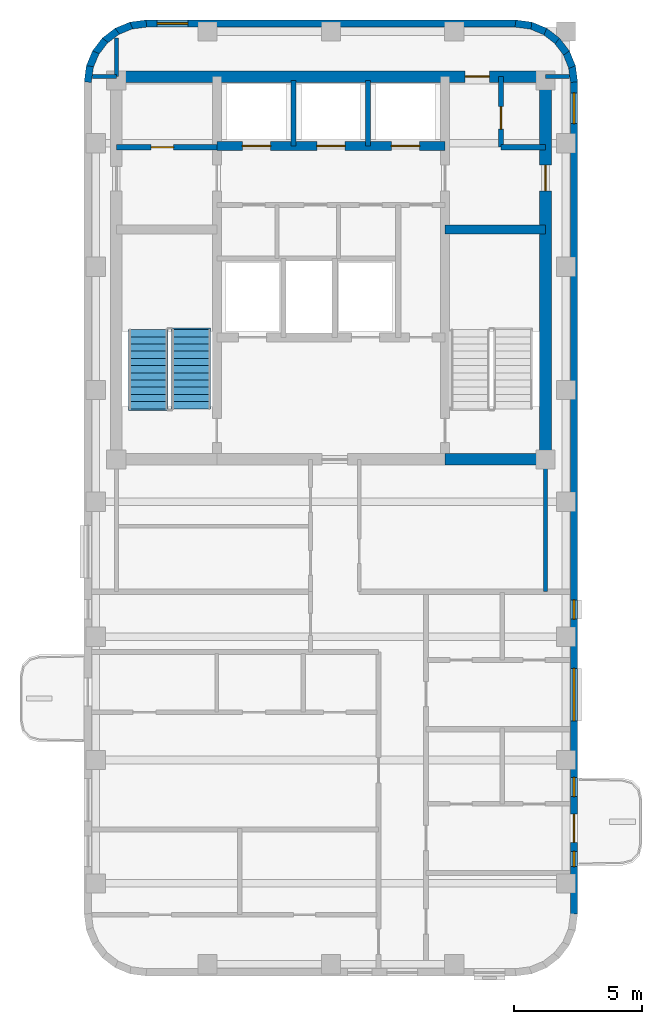
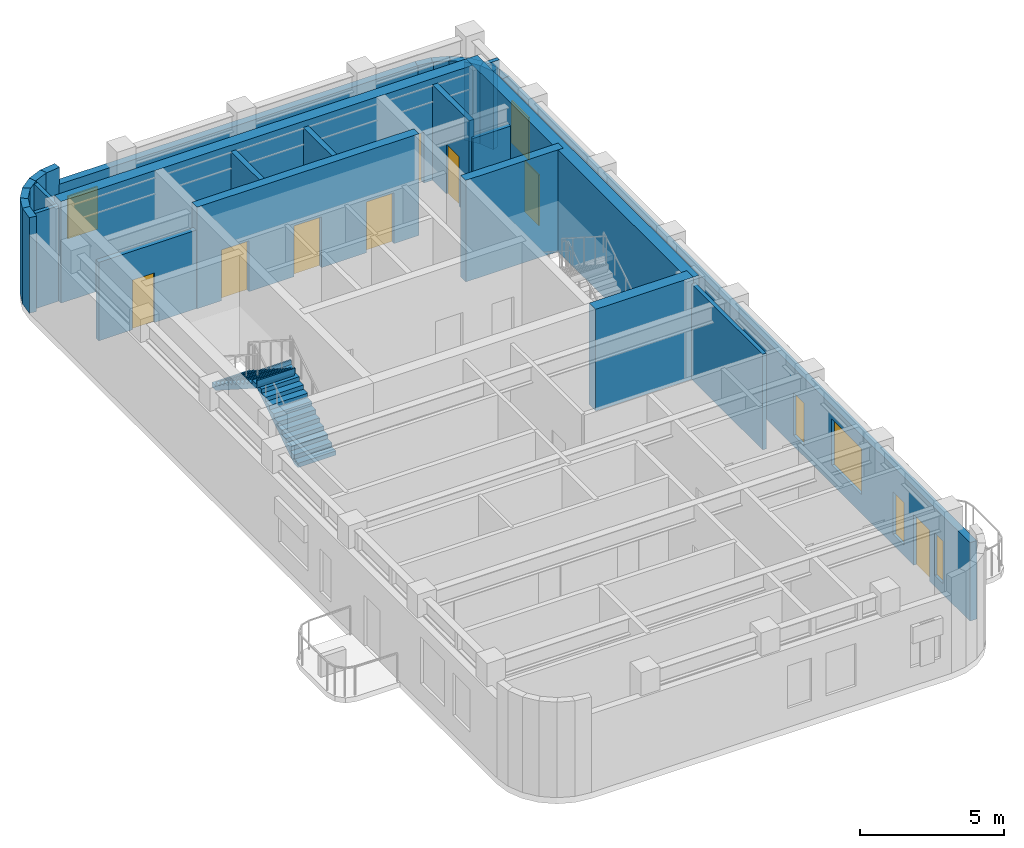
# One storey, part 4 of 7: 28 walls, 8 doors, 6 windows, 2 stair flights, 14 openings, 1 element without a shape of its own.
"""IFC4 building model written with IfcOpenShell, lengths in metres."""

from ifc_helpers import new_model, si_unit, direction, frame, frame_2d, origin, place, context, subcontext, project, spatial, polyline, rectangle, outline, extrude, material, layer, layer_set, type_object, element, fill, aggregate, save


model = new_model("IFC4")

# Units and contexts
model_context = context("Model", 3, precision=1e-05, world=origin(), true_north=direction((0.0, 1.0)))
body_context = subcontext(model_context, "Body", "Model", "MODEL_VIEW")
ifc_project = project(units=[si_unit("LENGTHUNIT", "METRE"), si_unit("AREAUNIT", "SQUARE_METRE"), si_unit("VOLUMEUNIT", "CUBIC_METRE"), si_unit("PLANEANGLEUNIT", "RADIAN"), si_unit("MASSUNIT", "GRAM", prefix="KILO")], contexts=[model_context])

# Site, building, storey
site_placement = place(None, origin())
site = spatial("IfcSite", under=ifc_project, at=site_placement, CompositionType="ELEMENT")
building_placement = place(site_placement, origin())
building = spatial("IfcBuilding", under=site, at=building_placement, Name="Orvandelia Arch Residences", CompositionType="ELEMENT")
storey_placement = place(building_placement, frame((0.0, 0.0, 269.89990234375)))
storey = spatial("IfcBuildingStorey", under=building, at=storey_placement, Name="L70", CompositionType="ELEMENT", Elevation=269.89990234375)

# Wall
ifc_material_1 = material(Name="Concrete C50/60", Category="concrete")
ifc_layer_1 = layer(ifc_material_1, 0.35009765625, Name="Concrete C50/60", Category="concrete")
ifc_layer_set_1 = layer_set([ifc_layer_1], Name="Concrete C50/60")
wall_type_1 = type_object("IfcWallType", Name="WL-CORE-350", PredefinedType="SHEAR", material=ifc_layer_set_1)
wall_1_placement = place(storey_placement, frame((18.840087890625, 39.85009765625, 0.0), z_axis=(0.0, 0.0, 1.0), x_axis=(1.0, 0.0, 0.0)))
element("IfcWall", 1, at=wall_1_placement, inside=storey, type_object=wall_type_1, Name="Core Shear Wall L70-HZ2", PredefinedType="SHEAR", context=body_context, shape_type="SweptSolid", body=[
    extrude(rectangle(XDim=3.909912109375, YDim=0.35009765625, at=frame_2d((1.955078125, 0.0))), origin(), (0.0, 0.0, 1.0), 4.300048828125),
])

# Wall, openings, doors
wall_2_placement = place(storey_placement, frame((9.9599609375, 43.10009765625, 0.0), z_axis=(0.0, 0.0, 1.0), x_axis=(1.0, 0.0, 0.0)))
wall_2 = element("IfcWall", 2, at=wall_2_placement, inside=storey, type_object=wall_type_1, Name="Core Shear Wall L70-HZ4", PredefinedType="SHEAR", context=body_context, shape_type="SweptSolid", body=[
    extrude(rectangle(XDim=8.880126953125, YDim=0.35009765625, at=frame_2d((4.43994140625, 0.0))), origin(), (0.0, 0.0, 1.0), 4.300048828125),
])
opening_1_placement = place(wall_2_placement, frame((0.989990234375, 0.0, 0.0)))
opening_1 = element("IfcOpeningElement", 3, at=opening_1_placement, cuts=wall_2, Name="Opening LD", PredefinedType="OPENING", context=body_context, shape_type="SweptSolid", body=[
    extrude(rectangle(XDim=1.10009765625, YDim=2.14990234375, at=frame_2d((0.550048828125, 1.074951171875))), frame((0.0, 0.18505859375, 0.0), z_axis=(0.0, -1.0, 0.0), x_axis=(1.0, 0.0, 0.0)), (0.0, 0.0, 1.0), 0.3701171875),
])
opening_2_placement = place(wall_2_placement, frame((3.889892578125, 0.0, 0.0)))
opening_2 = element("IfcOpeningElement", 4, at=opening_2_placement, cuts=wall_2, Name="Opening LD", PredefinedType="OPENING", context=body_context, shape_type="SweptSolid", body=[
    extrude(rectangle(XDim=1.10009765625, YDim=2.14990234375, at=frame_2d((0.550048828125, 1.074951171875))), frame((0.0, 0.18505859375, 0.0), z_axis=(0.0, -1.0, 0.0), x_axis=(1.0, 0.0, 0.0)), (0.0, 0.0, 1.0), 0.3701171875),
])
opening_3_placement = place(wall_2_placement, frame((6.7900390625, 0.0, 0.0)))
opening_3 = element("IfcOpeningElement", 5, at=opening_3_placement, cuts=wall_2, Name="Opening LD", PredefinedType="OPENING", context=body_context, shape_type="SweptSolid", body=[
    extrude(rectangle(XDim=1.10009765625, YDim=2.14990234375, at=frame_2d((0.550048828125, 1.074951171875))), frame((0.0, 0.18505859375, 0.0), z_axis=(0.0, -1.0, 0.0), x_axis=(1.0, 0.0, 0.0)), (0.0, 0.0, 1.0), 0.3701171875),
])
ifc_material_2 = material(Name="Brushed Stainless Steel Sliding Lift Door", Category="steel")
door_type_1 = type_object("IfcDoorType", Name="DR-LIFT-1100", OperationType="NOTDEFINED", PredefinedType="DOOR", material=ifc_material_2)
door_1_placement = place(opening_1_placement, origin())
door_1 = element("IfcDoor", 6, at=door_1_placement, inside=storey, type_object=door_type_1, Name="Lift Landing Door LD-PH1-L70", OperationType="SLIDING_TO_LEFT", OverallHeight=2.14990234375, OverallWidth=1.10009765625, PredefinedType="DOOR", context=body_context, shape_type="SweptSolid", body=[
    extrude(rectangle(XDim=1.10009765625, YDim=2.14990234375, at=frame_2d((0.550048828125, 1.074951171875))), frame((0.0, 0.02490234375, 0.0), z_axis=(0.0, -1.0, 0.0), x_axis=(1.0, 0.0, 0.0)), (0.0, 0.0, 1.0), 0.050048828125),
])
fill(opening_1, door_1)
door_2_placement = place(opening_2_placement, origin())
door_2 = element("IfcDoor", 7, at=door_2_placement, inside=storey, type_object=door_type_1, Name="Lift Landing Door LD-PH2-L70", OperationType="SLIDING_TO_RIGHT", OverallHeight=2.14990234375, OverallWidth=1.10009765625, PredefinedType="DOOR", context=body_context, shape_type="SweptSolid", body=[
    extrude(rectangle(XDim=1.10009765625, YDim=2.14990234375, at=frame_2d((0.550048828125, 1.074951171875))), frame((0.0, 0.02490234375, 0.0), z_axis=(0.0, -1.0, 0.0), x_axis=(1.0, 0.0, 0.0)), (0.0, 0.0, 1.0), 0.050048828125),
])
fill(opening_2, door_2)
door_3_placement = place(opening_3_placement, origin())
door_3 = element("IfcDoor", 8, at=door_3_placement, inside=storey, type_object=door_type_1, Name="Lift Landing Door LD-PH3-L70", OperationType="SLIDING_TO_LEFT", OverallHeight=2.14990234375, OverallWidth=1.10009765625, PredefinedType="DOOR", context=body_context, shape_type="SweptSolid", body=[
    extrude(rectangle(XDim=1.10009765625, YDim=2.14990234375, at=frame_2d((0.550048828125, 1.074951171875))), frame((0.0, 0.02490234375, 0.0), z_axis=(0.0, -1.0, 0.0), x_axis=(1.0, 0.0, 0.0)), (0.0, 0.0, 1.0), 0.050048828125),
])
fill(opening_3, door_3)

# Wall, opening, door
ifc_layer_2 = layer(ifc_material_1, 0.449951171875, Name="Concrete C50/60", Category="concrete")
ifc_layer_set_2 = layer_set([ifc_layer_2], Name="Concrete C50/60")
wall_type_2 = type_object("IfcWallType", Name="WL-CORE-450", PredefinedType="SHEAR", material=ifc_layer_set_2)
wall_3_placement = place(storey_placement, frame((22.75, 30.675048828125, 0.0), z_axis=(0.0, 0.0, 1.0), x_axis=(0.0, 1.0, 0.0)))
wall_3 = element("IfcWall", 9, at=wall_3_placement, inside=storey, type_object=wall_type_2, Name="Core Shear Wall L70-E", PredefinedType="SHEAR", context=body_context, shape_type="SweptSolid", body=[
    extrude(rectangle(XDim=15.349853515625, YDim=0.449951171875, at=frame_2d((7.6748046875, 0.0))), origin(), (0.0, 0.0, 1.0), 4.300048828125),
])
opening_4_placement = place(wall_3_placement, frame((10.675048828125, 0.0, 0.0)))
opening_4 = element("IfcOpeningElement", 10, at=opening_4_placement, cuts=wall_3, Name="Opening D6", PredefinedType="OPENING", context=body_context, shape_type="SweptSolid", body=[
    extrude(rectangle(XDim=1.0, YDim=2.14990234375, at=frame_2d((0.5, 1.074951171875))), frame((0.0, 0.23486328125, 0.0), z_axis=(0.0, -1.0, 0.0), x_axis=(1.0, 0.0, 0.0)), (0.0, 0.0, 1.0), 0.469970703125),
])
ifc_material_3 = material(Name="Smokeproof Painted Steel Fire Door", Category="steel")
door_type_2 = type_object("IfcDoorType", Name="DR-FD60-1000", OperationType="NOTDEFINED", PredefinedType="DOOR", material=ifc_material_3)
door_4_placement = place(opening_4_placement, origin())
door_4 = element("IfcDoor", 11, at=door_4_placement, inside=storey, type_object=door_type_2, Name="Core East Corridor Link Door L70", OperationType="SINGLE_SWING_LEFT", OverallHeight=2.14990234375, OverallWidth=1.0, PredefinedType="DOOR", context=body_context, shape_type="SweptSolid", body=[
    extrude(rectangle(XDim=1.0, YDim=2.14990234375, at=frame_2d((0.5, 1.074951171875))), frame((0.0, 0.02490234375, 0.0), z_axis=(0.0, -1.0, 0.0), x_axis=(1.0, 0.0, 0.0)), (0.0, 0.0, 1.0), 0.050048828125),
])
fill(opening_4, door_4)

wall_4_placement = place(storey_placement, frame((6.050048828125, 45.800048828125, 0.0), z_axis=(0.0, 0.0, 1.0), x_axis=(1.0, 0.0, 0.0)))
wall_4 = element("IfcWall", 12, at=wall_4_placement, inside=storey, type_object=wall_type_2, Name="Core Shear Wall L70-N", PredefinedType="SHEAR", context=body_context, shape_type="SweptSolid", body=[
    extrude(rectangle(XDim=16.699951171875, YDim=0.449951171875, at=frame_2d((8.35009765625, 0.0))), origin(), (0.0, 0.0, 1.0), 4.300048828125),
])
opening_5_placement = place(wall_4_placement, frame((13.570068359375, 0.0, 0.0)))
opening_5 = element("IfcOpeningElement", 13, at=opening_5_placement, cuts=wall_4, Name="Opening D2", PredefinedType="OPENING", context=body_context, shape_type="SweptSolid", body=[
    extrude(rectangle(XDim=0.949951171875, YDim=2.14990234375, at=frame_2d((0.47509765625, 1.074951171875))), frame((0.0, 0.23486328125, 0.0), z_axis=(0.0, -1.0, 0.0), x_axis=(1.0, 0.0, 0.0)), (0.0, 0.0, 1.0), 0.469970703125),
])
ifc_material_4 = material(Name="Solid-Core Timber Interior Fire Door", Category="wood")
door_type_3 = type_object("IfcDoorType", Name="DR-APT-950", OperationType="NOTDEFINED", PredefinedType="DOOR", material=ifc_material_4)
door_5_placement = place(opening_5_placement, origin())
door_5 = element("IfcDoor", 14, at=door_5_placement, inside=storey, type_object=door_type_3, Name="North Harbour Suite Entry Door L70", OperationType="SINGLE_SWING_LEFT", OverallHeight=2.14990234375, OverallWidth=0.949951171875, PredefinedType="DOOR", context=body_context, shape_type="SweptSolid", body=[
    extrude(rectangle(XDim=0.949951171875, YDim=2.14990234375, at=frame_2d((0.47509765625, 1.074951171875))), frame((0.0, 0.02490234375, 0.0), z_axis=(0.0, -1.0, 0.0), x_axis=(1.0, 0.0, 0.0)), (0.0, 0.0, 1.0), 0.050048828125),
])
fill(opening_5, door_5)

# Walls
wall_5_placement = place(storey_placement, frame((18.840087890625, 30.89990234375, 0.0), z_axis=(0.0, 0.0, 1.0), x_axis=(1.0, 0.0, 0.0)))
element("IfcWall", 15, at=wall_5_placement, inside=storey, type_object=wall_type_2, Name="Core Shear Wall L70-SE", PredefinedType="SHEAR", context=body_context, shape_type="SweptSolid", body=[
    extrude(rectangle(XDim=3.909912109375, YDim=0.449951171875, at=frame_2d((1.955078125, 0.0))), origin(), (0.0, 0.0, 1.0), 4.300048828125),
])
ifc_material_5 = material(Name="Precast concrete C40/50", Category="concrete")
ifc_layer_3 = layer(ifc_material_5, 0.280029296875, Name="Precast concrete C40/50", Category="concrete")
ifc_layer_set_3 = layer_set([ifc_layer_3], Name="Precast concrete C40/50")
wall_type_3 = type_object("IfcWallType", Name="WL-EXT-STONE-280", PredefinedType="STANDARD", material=ifc_layer_set_3)
for number, where, z_axis, x_axis, name in (
    (16, (4.938720703125, 45.581787109375, 0.0), (0.0, 0.0, 1.0), (0.130555323746, 0.9914410257, 0.0), "Coral-Limestone Precast Facade Wall L70-001"),
    (17, (5.010986328125, 46.16748046875, 0.0), (0.0, 0.0, 1.0), (0.382650053678, 0.92389335771, 0.0), "Coral-Limestone Precast Facade Wall L70-002"),
    (18, (5.232666015625, 46.71484375, 0.0), (0.0, 0.0, 1.0), (0.608693302629, 0.793405610854, 0.0), "Coral-Limestone Precast Facade Wall L70-003"),
    (19, (5.588134765625, 47.18603515625, 0.0), (0.0, 0.0, 1.0), (0.793405610854, 0.608693302629, 0.0), "Coral-Limestone Precast Facade Wall L70-004"),
):
    element("IfcWall", number, at=place(storey_placement, frame(where, z_axis=z_axis, x_axis=x_axis)), inside=storey, type_object=wall_type_3, Name=name, PredefinedType="STANDARD", context=body_context, shape_type="SweptSolid", body=[
        extrude(rectangle(XDim=0.62646484375, YDim=0.280029296875, at=frame_2d((0.313232421875, 0.0))), origin(), (0.0, 0.0, 1.0), 4.0400390625),
    ])
wall_6_placement = place(storey_placement, frame((6.0537109375, 47.54931640625, 0.0), z_axis=(0.0, 0.0, 1.0), x_axis=(0.923974080304, 0.382455093999, 0.0)))
element("IfcWall", 20, at=wall_6_placement, inside=storey, type_object=wall_type_3, Name="Coral-Limestone Precast Facade Wall L70-005", PredefinedType="STANDARD", context=body_context, shape_type="SweptSolid", body=[
    extrude(rectangle(XDim=0.626220703125, YDim=0.280029296875, at=frame_2d((0.31298828125, 0.0))), origin(), (0.0, 0.0, 1.0), 4.0400390625),
])
wall_7_placement = place(storey_placement, frame((6.59716796875, 47.779296875, 0.0), z_axis=(0.0, 0.0, 1.0), x_axis=(0.9914410257, 0.130555323746, 0.0)))
element("IfcWall", 21, at=wall_7_placement, inside=storey, type_object=wall_type_3, Name="Coral-Limestone Precast Facade Wall L70-006", PredefinedType="STANDARD", context=body_context, shape_type="SweptSolid", body=[
    extrude(rectangle(XDim=0.62646484375, YDim=0.280029296875, at=frame_2d((0.313232421875, 0.0))), origin(), (0.0, 0.0, 1.0), 4.0400390625),
])

# Wall, opening, window
wall_8_placement = place(storey_placement, frame((7.199951171875, 47.860107421875, 0.0), z_axis=(0.0, 0.0, 1.0), x_axis=(1.0, 0.0, 0.0)))
wall_8 = element("IfcWall", 22, at=wall_8_placement, inside=storey, type_object=wall_type_3, Name="Coral-Limestone Precast Facade Wall L70-007", PredefinedType="STANDARD", context=body_context, shape_type="SweptSolid", body=[
    extrude(rectangle(XDim=14.400146484375, YDim=0.280029296875, at=frame_2d((7.2001953125, 0.0))), origin(), (0.0, 0.0, 1.0), 3.320068359375),
])
opening_6_placement = place(wall_8_placement, frame((0.4326171875, 0.0, 0.800048828125)))
opening_6 = element("IfcOpeningElement", 23, at=opening_6_placement, cuts=wall_8, Name="Opening W3", PredefinedType="OPENING", context=body_context, shape_type="SweptSolid", body=[
    extrude(rectangle(XDim=1.199951171875, YDim=1.800048828125, at=frame_2d((0.60009765625, 0.89990234375))), frame((0.0, 0.14990234375, 0.0), z_axis=(0.0, -1.0, 0.0), x_axis=(1.0, 0.0, 0.0)), (0.0, 0.0, 1.0), 0.300048828125),
])
ifc_material_6 = material(Name="Tempered Low-E Insulated Glazing", Category="glass")
window_type_1 = type_object("IfcWindowType", Name="WIN-RES-1200x1800", PartitioningType="SINGLE_PANEL", PredefinedType="WINDOW", material=ifc_material_6)
window_1_placement = place(opening_6_placement, origin())
window_1 = element("IfcWindow", 24, at=window_1_placement, inside=storey, type_object=window_type_1, Name="Recessed Punched Window L70-001", OverallHeight=1.800048828125, OverallWidth=1.199951171875, PartitioningType="SINGLE_PANEL", PredefinedType="WINDOW", context=body_context, shape_type="SweptSolid", body=[
    extrude(rectangle(XDim=1.199951171875, YDim=1.800048828125, at=frame_2d((0.60009765625, 0.89990234375))), frame((0.0, 0.030029296875, 0.0), z_axis=(0.0, -1.0, 0.0), x_axis=(1.0, 0.0, 0.0)), (0.0, 0.0, 1.0), 0.06005859375),
])
fill(opening_6, window_1)

# Walls
for number, where, z_axis, x_axis, name in (
    (25, (21.581787109375, 47.861083984375, 0.0), (0.0, 0.0, 1.0), (0.9914410257, -0.130555323746, 0.0), "Coral-Limestone Precast Facade Wall L70-008"),
    (26, (22.16748046875, 47.788818359375, 0.0), (0.0, 0.0, 1.0), (0.924031075431, -0.382317370307, 0.0), "Coral-Limestone Precast Facade Wall L70-009"),
    (27, (22.71484375, 47.5673828125, 0.0), (0.0, 0.0, 1.0), (0.793405610854, -0.608693302629, 0.0), "Coral-Limestone Precast Facade Wall L70-010"),
    (28, (23.18603515625, 47.2119140625, 0.0), (0.0, 0.0, 1.0), (0.608693302629, -0.793405610854, 0.0), "Coral-Limestone Precast Facade Wall L70-011"),
    (29, (23.54931640625, 46.746337890625, 0.0), (0.0, 0.0, 1.0), (0.382317370307, -0.924031075431, 0.0), "Coral-Limestone Precast Facade Wall L70-012"),
    (30, (23.779296875, 46.202880859375, 0.0), (0.0, 0.0, 1.0), (0.130555323746, -0.9914410257, 0.0), "Coral-Limestone Precast Facade Wall L70-013"),
):
    element("IfcWall", number, at=place(storey_placement, frame(where, z_axis=z_axis, x_axis=x_axis)), inside=storey, type_object=wall_type_3, Name=name, PredefinedType="STANDARD", context=body_context, shape_type="SweptSolid", body=[
        extrude(rectangle(XDim=0.62646484375, YDim=0.280029296875, at=frame_2d((0.313232421875, 0.0))), origin(), (0.0, 0.0, 1.0), 3.320068359375),
    ])

# Wall, openings, door, windows
wall_9_placement = place(storey_placement, frame((23.860107421875, 45.60009765625, 0.0), z_axis=(0.0, 0.0, 1.0), x_axis=(0.0, -1.0, 0.0)))
wall_9 = element("IfcWall", 31, at=wall_9_placement, inside=storey, type_object=wall_type_3, Name="Coral-Limestone Precast Facade Wall L70-014", PredefinedType="STANDARD", context=body_context, shape_type="SweptSolid", body=[
    extrude(rectangle(XDim=32.400146484375, YDim=0.280029296875, at=frame_2d((16.2001953125, 0.0))), origin(), (0.0, 0.0, 1.0), 3.320068359375),
])
opening_7_placement = place(wall_9_placement, frame((28.5, 0.0, 0.0)))
opening_7 = element("IfcOpeningElement", 32, at=opening_7_placement, cuts=wall_9, Name="Opening BD1", PredefinedType="OPENING", context=body_context, shape_type="SweptSolid", body=[
    extrude(rectangle(XDim=1.10009765625, YDim=2.14990234375, at=frame_2d((0.550048828125, 1.074951171875))), frame((0.0, 0.14990234375, 0.0), z_axis=(0.0, -1.0, 0.0), x_axis=(1.0, 0.0, 0.0)), (0.0, 0.0, 1.0), 0.300048828125),
])
opening_8_placement = place(wall_9_placement, frame((29.949951171875, 0.0, 0.449951171875)))
opening_8 = element("IfcOpeningElement", 33, at=opening_8_placement, cuts=wall_9, Name="Opening W12", PredefinedType="OPENING", context=body_context, shape_type="SweptSolid", body=[
    extrude(rectangle(XDim=0.60009765625, YDim=1.800048828125, at=frame_2d((0.300048828125, 0.89990234375))), frame((0.0, 0.14990234375, 0.0), z_axis=(0.0, -1.0, 0.0), x_axis=(1.0, 0.0, 0.0)), (0.0, 0.0, 1.0), 0.300048828125),
])
opening_9_placement = place(wall_9_placement, frame((22.8291015625, 0.0, 0.800048828125)))
opening_9 = element("IfcOpeningElement", 34, at=opening_9_placement, cuts=wall_9, Name="Opening W8", PredefinedType="OPENING", context=body_context, shape_type="SweptSolid", body=[
    extrude(rectangle(XDim=2.050048828125, YDim=1.949951171875, at=frame_2d((1.02490234375, 0.97509765625))), frame((0.0, 0.14990234375, 0.0), z_axis=(0.0, -1.0, 0.0), x_axis=(1.0, 0.0, 0.0)), (0.0, 0.0, 1.0), 0.300048828125),
])
opening_10_placement = place(wall_9_placement, frame((0.4326171875, 0.0, 0.800048828125)))
opening_10 = element("IfcOpeningElement", 35, at=opening_10_placement, cuts=wall_9, Name="Opening W3", PredefinedType="OPENING", context=body_context, shape_type="SweptSolid", body=[
    extrude(rectangle(XDim=1.199951171875, YDim=1.800048828125, at=frame_2d((0.60009765625, 0.89990234375))), frame((0.0, 0.14990234375, 0.0), z_axis=(0.0, -1.0, 0.0), x_axis=(1.0, 0.0, 0.0)), (0.0, 0.0, 1.0), 0.300048828125),
])
opening_11_placement = place(wall_9_placement, frame((27.076416015625, 0.0, 0.449951171875)))
opening_11 = element("IfcOpeningElement", 36, at=opening_11_placement, cuts=wall_9, Name="Opening W11", PredefinedType="OPENING", context=body_context, shape_type="SweptSolid", body=[
    extrude(rectangle(XDim=0.75, YDim=1.800048828125, at=frame_2d((0.375, 0.89990234375))), frame((0.0, 0.14990234375, 0.0), z_axis=(0.0, -1.0, 0.0), x_axis=(1.0, 0.0, 0.0)), (0.0, 0.0, 1.0), 0.300048828125),
])
opening_12_placement = place(wall_9_placement, frame((20.16748046875, 0.0, 0.449951171875)))
opening_12 = element("IfcOpeningElement", 37, at=opening_12_placement, cuts=wall_9, Name="Opening W11", PredefinedType="OPENING", context=body_context, shape_type="SweptSolid", body=[
    extrude(rectangle(XDim=0.75, YDim=1.800048828125, at=frame_2d((0.375, 0.89990234375))), frame((0.0, 0.14990234375, 0.0), z_axis=(0.0, -1.0, 0.0), x_axis=(1.0, 0.0, 0.0)), (0.0, 0.0, 1.0), 0.300048828125),
])
ifc_material_7 = material(Name="Thermally Broken Aluminium Glazed Door", Category="aluminium")
door_type_4 = type_object("IfcDoorType", Name="DR-BAL-GLAZ-1100", OperationType="NOTDEFINED", PredefinedType="DOOR", material=ifc_material_7)
door_6_placement = place(opening_7_placement, origin())
door_6 = element("IfcDoor", 38, at=door_6_placement, inside=storey, type_object=door_type_4, Name="Tree Balcony Glazed Door BAL-L70-W2", OperationType="SINGLE_SWING_LEFT", OverallHeight=2.14990234375, OverallWidth=1.10009765625, PredefinedType="DOOR", context=body_context, shape_type="SweptSolid", body=[
    extrude(rectangle(XDim=1.10009765625, YDim=2.14990234375, at=frame_2d((0.550048828125, 1.074951171875))), frame((0.0, 0.02490234375, 0.0), z_axis=(0.0, -1.0, 0.0), x_axis=(1.0, 0.0, 0.0)), (0.0, 0.0, 1.0), 0.050048828125),
])
fill(opening_7, door_6)
window_type_2 = type_object("IfcWindowType", Name="WIN-BED-0750x1800", PartitioningType="SINGLE_PANEL", PredefinedType="WINDOW", material=ifc_material_6)
window_2_placement = place(opening_11_placement, origin())
window_2 = element("IfcWindow", 39, at=window_2_placement, inside=storey, type_object=window_type_2, Name="Recessed Punched Window L70-005", OverallHeight=1.800048828125, OverallWidth=0.75, PartitioningType="SINGLE_PANEL", PredefinedType="WINDOW", context=body_context, shape_type="SweptSolid", body=[
    extrude(rectangle(XDim=0.75, YDim=1.800048828125, at=frame_2d((0.375, 0.89990234375))), frame((0.0, 0.030029296875, 0.0), z_axis=(0.0, -1.0, 0.0), x_axis=(1.0, 0.0, 0.0)), (0.0, 0.0, 1.0), 0.06005859375),
])
fill(opening_11, window_2)
window_3_placement = place(opening_12_placement, origin())
window_3 = element("IfcWindow", 40, at=window_3_placement, inside=storey, type_object=window_type_2, Name="Recessed Punched Window L70-006", OverallHeight=1.800048828125, OverallWidth=0.75, PartitioningType="SINGLE_PANEL", PredefinedType="WINDOW", context=body_context, shape_type="SweptSolid", body=[
    extrude(rectangle(XDim=0.75, YDim=1.800048828125, at=frame_2d((0.375, 0.89990234375))), frame((0.0, 0.030029296875, 0.0), z_axis=(0.0, -1.0, 0.0), x_axis=(1.0, 0.0, 0.0)), (0.0, 0.0, 1.0), 0.06005859375),
])
fill(opening_12, window_3)
window_type_3 = type_object("IfcWindowType", Name="WIN-LAN-0600x1800", PartitioningType="SINGLE_PANEL", PredefinedType="WINDOW", material=ifc_material_6)
window_4_placement = place(opening_8_placement, origin())
window_4 = element("IfcWindow", 41, at=window_4_placement, inside=storey, type_object=window_type_3, Name="Recessed Punched Window L70-002", OverallHeight=1.800048828125, OverallWidth=0.60009765625, PartitioningType="SINGLE_PANEL", PredefinedType="WINDOW", context=body_context, shape_type="SweptSolid", body=[
    extrude(rectangle(XDim=0.60009765625, YDim=1.800048828125, at=frame_2d((0.300048828125, 0.89990234375))), frame((0.0, 0.030029296875, 0.0), z_axis=(0.0, -1.0, 0.0), x_axis=(1.0, 0.0, 0.0)), (0.0, 0.0, 1.0), 0.06005859375),
])
fill(opening_8, window_4)
window_5_placement = place(opening_10_placement, origin())
window_5 = element("IfcWindow", 42, at=window_5_placement, inside=storey, type_object=window_type_1, Name="Recessed Punched Window L70-004", OverallHeight=1.800048828125, OverallWidth=1.199951171875, PartitioningType="SINGLE_PANEL", PredefinedType="WINDOW", context=body_context, shape_type="SweptSolid", body=[
    extrude(rectangle(XDim=1.199951171875, YDim=1.800048828125, at=frame_2d((0.60009765625, 0.89990234375))), frame((0.0, 0.030029296875, 0.0), z_axis=(0.0, -1.0, 0.0), x_axis=(1.0, 0.0, 0.0)), (0.0, 0.0, 1.0), 0.06005859375),
])
fill(opening_10, window_5)
window_type_4 = type_object("IfcWindowType", Name="WIN-UPP-2050x1950", PartitioningType="SINGLE_PANEL", PredefinedType="WINDOW", material=ifc_material_6)
window_6_placement = place(opening_9_placement, origin())
window_6 = element("IfcWindow", 43, at=window_6_placement, inside=storey, type_object=window_type_4, Name="Recessed Punched Window L70-003", OverallHeight=1.949951171875, OverallWidth=2.050048828125, PartitioningType="SINGLE_PANEL", PredefinedType="WINDOW", context=body_context, shape_type="SweptSolid", body=[
    extrude(rectangle(XDim=2.050048828125, YDim=1.949951171875, at=frame_2d((1.02490234375, 0.97509765625))), frame((0.0, 0.030029296875, 0.0), z_axis=(0.0, -1.0, 0.0), x_axis=(1.0, 0.0, 0.0)), (0.0, 0.0, 1.0), 0.06005859375),
])
fill(opening_9, window_6)

# Walls
ifc_material_8 = material(Name="Acoustic Gypsum Stud Partition")
ifc_layer_4 = layer(ifc_material_8, 0.14990234375, Name="Acoustic Gypsum Stud Partition")
ifc_layer_set_4 = layer_set([ifc_layer_4], Name="Acoustic Gypsum Stud Partition")
wall_type_4 = type_object("IfcWallType", Name="WL-PART-150", PredefinedType="PARTITIONING", material=ifc_layer_set_4)
wall_10_placement = place(storey_placement, frame((22.75, 25.75, 0.0), z_axis=(0.0, 0.0, 1.0), x_axis=(0.0, 1.0, 0.0)))
element("IfcWall", 44, at=wall_10_placement, inside=storey, type_object=wall_type_4, Name="Interior Partition Wall WL-L70-HI-WE", PredefinedType="PARTITIONING", context=body_context, shape_type="SweptSolid", body=[
    extrude(rectangle(XDim=5.14990234375, YDim=0.14990234375, at=frame_2d((2.574951171875, 0.0))), origin(), (0.0, 0.0, 1.0), 4.0400390625),
])
wall_11_placement = place(storey_placement, frame((5.1201171875, 45.800048828125, 0.0), z_axis=(0.0, 0.0, 1.0), x_axis=(1.0, 0.0, 0.0)))
element("IfcWall", 45, at=wall_11_placement, inside=storey, type_object=wall_type_4, Name="Interior Partition Wall WL-L70-WF-N", PredefinedType="PARTITIONING", context=body_context, shape_type="SweptSolid", body=[
    extrude(rectangle(XDim=0.929931640625, YDim=0.14990234375, at=frame_2d((0.46484375, 0.0))), origin(), (0.0, 0.0, 1.0), 4.0400390625),
])
wall_12_placement = place(storey_placement, frame((6.050048828125, 45.800048828125, 0.0), z_axis=(0.0, 0.0, 1.0), x_axis=(0.0, 1.0, 0.0)))
element("IfcWall", 46, at=wall_12_placement, inside=storey, type_object=wall_type_4, Name="Interior Partition Wall WL-L70-NHI-W6", PredefinedType="PARTITIONING", context=body_context, shape_type="SweptSolid", body=[
    extrude(rectangle(XDim=1.5, YDim=0.14990234375, at=frame_2d((0.75, 0.0))), origin(), (0.0, 0.0, 1.0), 4.0400390625),
])
wall_13_placement = place(storey_placement, frame((22.75, 45.800048828125, 0.0), z_axis=(0.0, 0.0, 1.0), x_axis=(1.0, 0.0, 0.0)))
element("IfcWall", 47, at=wall_13_placement, inside=storey, type_object=wall_type_4, Name="Interior Partition Wall WL-L70-SEFLK-N", PredefinedType="PARTITIONING", context=body_context, shape_type="SweptSolid", body=[
    extrude(rectangle(XDim=0.929931640625, YDim=0.14990234375, at=frame_2d((0.46484375, 0.0))), origin(), (0.0, 0.0, 1.0), 4.0400390625),
])
ifc_material_9 = material(Name="Fire-Rated Shaft Enclosure Wall")
ifc_layer_5 = layer(ifc_material_9, 0.199951171875, Name="Fire-Rated Shaft Enclosure Wall")
ifc_layer_set_5 = layer_set([ifc_layer_5], Name="Fire-Rated Shaft Enclosure Wall")
wall_type_5 = type_object("IfcWallType", Name="WL-SHAFT-200", PredefinedType="POLYGONAL", material=ifc_layer_set_5)
wall_14_placement = place(storey_placement, frame((21.02001953125, 43.050048828125, 0.0), z_axis=(0.0, 0.0, 1.0), x_axis=(1.0, 0.0, 0.0)))
element("IfcWall", 48, at=wall_14_placement, inside=storey, type_object=wall_type_5, Name="Interior Partition Wall WL-L70-HLE-N", PredefinedType="POLYGONAL", context=body_context, shape_type="SweptSolid", body=[
    extrude(rectangle(XDim=1.72998046875, YDim=0.199951171875, at=frame_2d((0.864990234375, 0.0))), origin(), (0.0, 0.0, 1.0), 3.320068359375),
])

# Wall, opening, door
wall_15_placement = place(storey_placement, frame((21.02001953125, 43.050048828125, 0.0), z_axis=(0.0, 0.0, 1.0), x_axis=(0.0, 1.0, 0.0)))
wall_15 = element("IfcWall", 49, at=wall_15_placement, inside=storey, type_object=wall_type_5, Name="Interior Partition Wall WL-L70-HLE-W21", PredefinedType="POLYGONAL", context=body_context, shape_type="SweptSolid", body=[
    extrude(rectangle(XDim=2.75, YDim=0.199951171875, at=frame_2d((1.375, 0.0))), origin(), (0.0, 0.0, 1.0), 4.0400390625),
])
opening_13_placement = place(wall_15_placement, frame((0.699951171875, 0.0, 0.0)))
opening_13 = element("IfcOpeningElement", 50, at=opening_13_placement, cuts=wall_15, Name="Opening D5", PredefinedType="OPENING", context=body_context, shape_type="SweptSolid", body=[
    extrude(rectangle(XDim=0.8798828125, YDim=2.10009765625, at=frame_2d((0.43994140625, 1.050048828125))), frame((0.0, 0.10986328125, 0.0), z_axis=(0.0, -1.0, 0.0), x_axis=(1.0, 0.0, 0.0)), (0.0, 0.0, 1.0), 0.219970703125),
])
ifc_material_10 = material(Name="Painted Galvanised Steel Service Door", Category="steel")
door_type_5 = type_object("IfcDoorType", Name="DR-SRV-880", OperationType="NOTDEFINED", PredefinedType="DOOR", material=ifc_material_10)
door_7_placement = place(opening_13_placement, origin())
door_7 = element("IfcDoor", 51, at=door_7_placement, inside=storey, type_object=door_type_5, Name="DR-L70-CSB1", OperationType="SINGLE_SWING_RIGHT", OverallHeight=2.10009765625, OverallWidth=0.8798828125, PredefinedType="DOOR", context=body_context, shape_type="SweptSolid", body=[
    extrude(rectangle(XDim=0.8798828125, YDim=2.10009765625, at=frame_2d((0.43994140625, 1.050048828125))), frame((0.0, 0.02490234375, 0.0), z_axis=(0.0, -1.0, 0.0), x_axis=(1.0, 0.0, 0.0)), (0.0, 0.0, 1.0), 0.050048828125),
])
fill(opening_13, door_7)

wall_16_placement = place(storey_placement, frame((6.050048828125, 43.050048828125, 0.0), z_axis=(0.0, 0.0, 1.0), x_axis=(1.0, 0.0, 0.0)))
wall_16 = element("IfcWall", 52, at=wall_16_placement, inside=storey, type_object=wall_type_5, Name="Interior Partition Wall WL-L70-HLW-N", PredefinedType="POLYGONAL", context=body_context, shape_type="SweptSolid", body=[
    extrude(rectangle(XDim=3.909912109375, YDim=0.199951171875, at=frame_2d((1.955078125, 0.0))), origin(), (0.0, 0.0, 1.0), 3.320068359375),
])
opening_14_placement = place(wall_16_placement, frame((1.35009765625, 0.0, 0.0)))
opening_14 = element("IfcOpeningElement", 53, at=opening_14_placement, cuts=wall_16, Name="Opening D5", PredefinedType="OPENING", context=body_context, shape_type="SweptSolid", body=[
    extrude(rectangle(XDim=0.8798828125, YDim=2.10009765625, at=frame_2d((0.43994140625, 1.050048828125))), frame((0.0, 0.10986328125, 0.0), z_axis=(0.0, -1.0, 0.0), x_axis=(1.0, 0.0, 0.0)), (0.0, 0.0, 1.0), 0.219970703125),
])
door_8_placement = place(opening_14_placement, origin())
door_8 = element("IfcDoor", 54, at=door_8_placement, inside=storey, type_object=door_type_5, Name="Riser Service Door L70", OperationType="SINGLE_SWING_RIGHT", OverallHeight=2.10009765625, OverallWidth=0.8798828125, PredefinedType="DOOR", context=body_context, shape_type="SweptSolid", body=[
    extrude(rectangle(XDim=0.8798828125, YDim=2.10009765625, at=frame_2d((0.43994140625, 1.050048828125))), frame((0.0, 0.02490234375, 0.0), z_axis=(0.0, -1.0, 0.0), x_axis=(1.0, 0.0, 0.0)), (0.0, 0.0, 1.0), 0.050048828125),
])
fill(opening_14, door_8)

# Walls
for number, where, z_axis, x_axis, name in (
    (55, (12.949951171875, 43.10009765625, 0.0), (0.0, 0.0, 1.0), (0.0, 1.0, 0.0), "Interior Partition Wall WL-L70-PHD1"),
    (56, (15.85009765625, 43.10009765625, 0.0), (0.0, 0.0, 1.0), (0.0, 1.0, 0.0), "Interior Partition Wall WL-L70-PHD2"),
):
    element("IfcWall", number, at=place(storey_placement, frame(where, z_axis=z_axis, x_axis=x_axis)), inside=storey, type_object=wall_type_5, Name=name, PredefinedType="POLYGONAL", context=body_context, shape_type="SweptSolid", body=[
        extrude(rectangle(XDim=2.5498046875, YDim=0.199951171875, at=frame_2d((1.27490234375, 0.0))), origin(), (0.0, 0.0, 1.0), 4.0400390625),
    ])

# Stair, stair flights
ifc_material_11 = material(Name="Concrete C40/50", Category="concrete")
stair_type = type_object("IfcStairType", Name="STAIR-RC-DOGLEG", PredefinedType="HALF_TURN_STAIR", material=ifc_material_11)
stair_placement = place(storey_placement, origin())
stair = element("IfcStair", 57, at=stair_placement, inside=storey, type_object=stair_type, Name="L70 Protected Exit Stair ST-1", PredefinedType="HALF_TURN_STAIR")
stair_flight_type = type_object("IfcStairFlightType", Name="STFLT-RC-1520", PredefinedType="STRAIGHT", material=ifc_material_11)
stair_flight_1_placement = place(storey_placement, frame((8.9599609375, 32.8701171875, 0.0), z_axis=(0.0, 0.0, 1.0), x_axis=(0.0, 1.0, 0.0)))
stair_flight_1 = element("IfcStairFlight", 58, at=stair_flight_1_placement, type_object=stair_flight_type, Name="ST-1 flight 1", NumberOfRisers=12, NumberOfTreads=11, PredefinedType="STRAIGHT", RiserHeight=0.179166667, TreadLength=0.28, context=body_context, shape_type="SweptSolid", body=[
    extrude(outline(polyline([(0.0, 0.0), (0.0, 0.17919921875), (0.280029296875, 0.17919921875), (0.280029296875, 0.3583984375), (0.56005859375, 0.3583984375), (0.56005859375, 0.53759765625), (0.840087890625, 0.53759765625), (0.840087890625, 0.716552734375), (1.1201171875, 0.716552734375), (1.1201171875, 0.895751953125), (1.39990234375, 0.895751953125), (1.39990234375, 1.074951171875), (1.679931640625, 1.074951171875), (1.679931640625, 1.254150390625), (1.9599609375, 1.254150390625), (1.9599609375, 1.433349609375), (2.239990234375, 1.433349609375), (2.239990234375, 1.612548828125), (2.52001953125, 1.612548828125), (2.52001953125, 1.791748046875), (2.800048828125, 1.791748046875), (2.800048828125, 1.970947265625), (3.080078125, 1.970947265625), (3.080078125, 2.14990234375), (3.139892578125, 2.14990234375), (3.139892578125, 1.969970703125), (3.080078125, 1.79296875), (0.278076171875, 0.0), (0.0, 0.0)])), frame((0.0, 0.760009765625, 0.0), z_axis=(0.0, -1.0, 0.0), x_axis=(1.0, 0.0, 0.0)), (0.0, 0.0, 1.0), 1.52001953125),
])
stair_flight_2_placement = place(storey_placement, frame((7.2900390625, 35.949951171875, 2.150146484375), z_axis=(0.0, 0.0, 1.0), x_axis=(0.0, -1.0, 0.0)))
stair_flight_2 = element("IfcStairFlight", 59, at=stair_flight_2_placement, type_object=stair_flight_type, Name="ST-1 flight 2", NumberOfRisers=12, NumberOfTreads=11, PredefinedType="STRAIGHT", RiserHeight=0.179166667, TreadLength=0.28, context=body_context, shape_type="SweptSolid", body=[
    extrude(outline(polyline([(0.0, 0.0), (0.0, 0.17919921875), (0.280029296875, 0.17919921875), (0.280029296875, 0.3583984375), (0.56005859375, 0.3583984375), (0.56005859375, 0.53759765625), (0.840087890625, 0.53759765625), (0.840087890625, 0.716552734375), (1.1201171875, 0.716552734375), (1.1201171875, 0.895751953125), (1.39990234375, 0.895751953125), (1.39990234375, 1.074951171875), (1.679931640625, 1.074951171875), (1.679931640625, 1.254150390625), (1.9599609375, 1.254150390625), (1.9599609375, 1.433349609375), (2.239990234375, 1.433349609375), (2.239990234375, 1.612548828125), (2.52001953125, 1.612548828125), (2.52001953125, 1.791748046875), (2.800048828125, 1.791748046875), (2.800048828125, 1.970947265625), (3.080078125, 1.970947265625), (3.080078125, 2.14990234375), (3.139892578125, 2.14990234375), (3.139892578125, 1.969970703125), (3.080078125, 1.79296875), (0.278076171875, 0.0), (0.0, 0.0)])), frame((0.0, 0.760009765625, 0.0), z_axis=(0.0, -1.0, 0.0), x_axis=(1.0, 0.0, 0.0)), (0.0, 0.0, 1.0), 1.52001953125),
])
aggregate(stair, [stair_flight_1, stair_flight_2])

save(model, "model.ifc")
